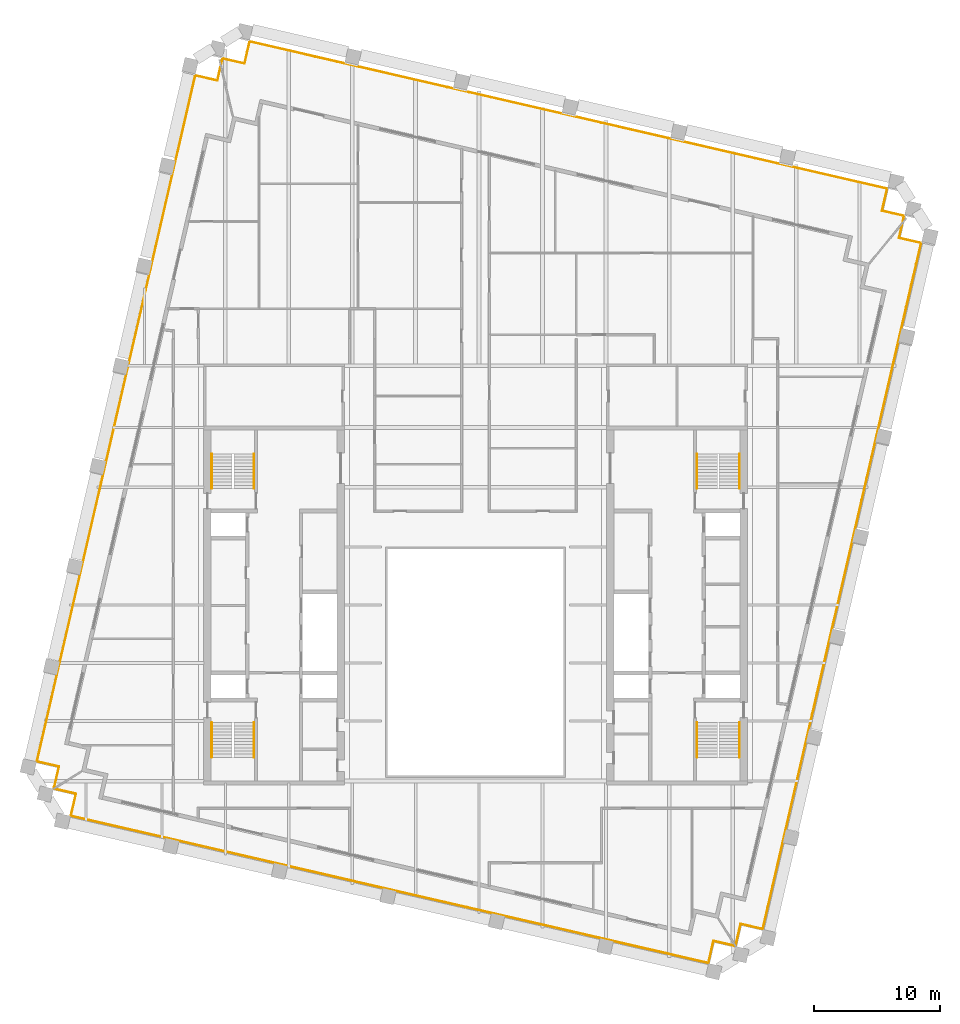
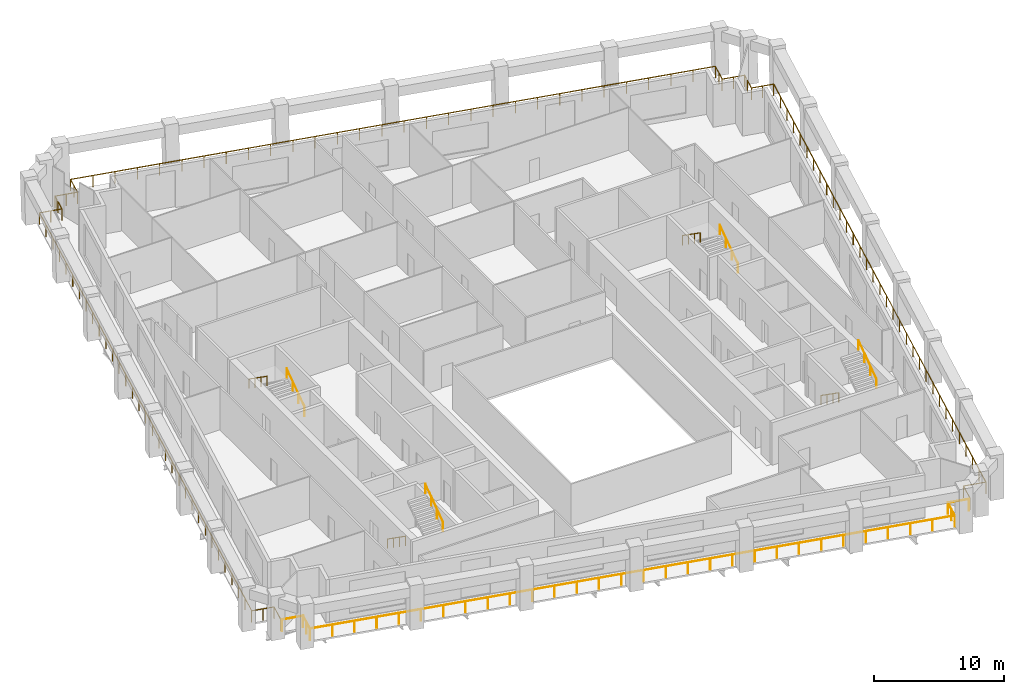
# One storey, part 10 of 10: 12 railings.
"""IFC4 building model written with IfcOpenShell, lengths in metres."""

import ifcopenshell
import ifcopenshell.guid

model = None  # the IFC model being written
_history = None  # IfcOwnerHistory: only IFC2X3 demands one
_inside = {}  # id of a spatial element -> (the spatial element, [elements in it])
_under = {}  # id of a project, library or spatial element -> (it, [spatial elements below it])
_declared = {}  # id of a project -> (the project, [libraries it declares])
_typed = {}  # id of a type object -> (the type object, [elements of that type])
_made_of = {}  # id of a material, layer set ... -> (it, [elements and type objects made of it])


def new_model(schema):
    """Start an empty IFC model of exactly this schema.

    Asked for "IFC4X3", IfcOpenShell would pick the latest addendum, in which some entities
    have other attributes; the version numbers below select the first issue.
    IFC2X3 requires an IfcOwnerHistory on every rooted entity: one is made here for all.
    """
    global model, _history
    if schema == "IFC4X3":
        model = ifcopenshell.file(schema_version=(4, 3, 0, 0))
    else:
        model = ifcopenshell.file(schema=schema)
    _inside.clear()
    _under.clear()
    _declared.clear()
    _typed.clear()
    _made_of.clear()
    _history = None
    if model.schema == "IFC2X3":
        org = make("IfcOrganization", Name="unknown")
        user = make(
            "IfcPersonAndOrganization",
            ThePerson=make("IfcPerson", FamilyName="unknown"),
            TheOrganization=org,
        )
        app = make(
            "IfcApplication",
            ApplicationDeveloper=org,
            Version="unknown",
            ApplicationFullName="unknown",
            ApplicationIdentifier="unknown",
        )
        _history = make(
            "IfcOwnerHistory",
            OwningUser=user,
            OwningApplication=app,
            ChangeAction="ADDED",
            CreationDate=0,
        )
    return model


def make(cls, **values):
    """One entity of the class cls with the attributes given. An attribute that is None is left unset."""
    return model.create_entity(
        cls, **{name: value for name, value in values.items() if value is not None}
    )


def rooted(cls, **values):
    """An entity with a GlobalId (a new one), such as an element, a storey or a relation."""
    return make(cls, GlobalId=ifcopenshell.guid.new(), OwnerHistory=_history, **values)


def si_unit(unit_type, name, prefix=None):
    """IfcSIUnit, for example si_unit("LENGTHUNIT", "METRE", prefix="MILLI")."""
    return make("IfcSIUnit", UnitType=unit_type, Prefix=prefix, Name=name)


def assignment(units):
    """IfcUnitAssignment: the units of a project."""
    return None if units is None else make("IfcUnitAssignment", Units=units)


def point(xyz):
    """IfcCartesianPoint."""
    return None if xyz is None else make("IfcCartesianPoint", Coordinates=xyz)


def direction(xyz):
    """IfcDirection."""
    return None if xyz is None else make("IfcDirection", DirectionRatios=xyz)


def frame(location, z_axis=None, x_axis=None):
    """IfcAxis2Placement3D, a coordinate frame: its origin and axes. An axis left out is left unset."""
    return make(
        "IfcAxis2Placement3D",
        Location=point(location),
        Axis=direction(z_axis),
        RefDirection=direction(x_axis),
    )


def frame_2d(location, x_axis=None):
    """IfcAxis2Placement2D, a coordinate frame in the plane: its origin and x axis."""
    return make(
        "IfcAxis2Placement2D", Location=point(location), RefDirection=direction(x_axis)
    )


def origin():
    """The frame at (0, 0, 0) with its axes left unset."""
    return frame((0.0, 0.0, 0.0))


def origin_2d():
    """The frame at (0, 0) in the plane with its x axis left unset."""
    return frame_2d((0.0, 0.0))


def place(relative_to, where):
    """IfcLocalPlacement: puts the frame where relative to a parent placement (None: the world)."""
    return make(
        "IfcLocalPlacement", PlacementRelTo=relative_to, RelativePlacement=where
    )


def context(
    kind, dimensions, precision=None, world=None, true_north=None, identifier=None
):
    """IfcGeometricRepresentationContext, for example the 3D "Model" context."""
    return make(
        "IfcGeometricRepresentationContext",
        ContextIdentifier=identifier,
        ContextType=kind,
        CoordinateSpaceDimension=dimensions,
        Precision=precision,
        WorldCoordinateSystem=world,
        TrueNorth=true_north,
    )


def subcontext(parent, identifier, kind, view, scale=None):
    """IfcGeometricRepresentationSubContext, for example "Body" below "Model"."""
    return make(
        "IfcGeometricRepresentationSubContext",
        ContextIdentifier=identifier,
        ContextType=kind,
        ParentContext=parent,
        TargetScale=scale,
        TargetView=view,
    )


def project(units=None, contexts=None):
    """IfcProject with its units and contexts."""
    return rooted(
        "IfcProject",
        Name="project",
        RepresentationContexts=contexts,
        UnitsInContext=assignment(units),
    )


def spatial(cls, under=None, at=None, **own):
    """A site, building, storey or space (cls), placed at a placement, below another one or the project."""
    s = rooted(cls, ObjectPlacement=at, **own)
    if under is not None:
        _under.setdefault(under.id(), (under, []))[1].append(s)
    return s


def profile(cls, at=None, kind="AREA", **sizes):
    """A parametric profile (cls). Its sizes go by their IFC names, for example OverallWidth=200.0."""
    return make(cls, ProfileType=kind, Position=at, **sizes)


def circle(**sizes):
    """IfcCircleProfileDef."""
    return profile("IfcCircleProfileDef", **sizes)


def extrude(swept, where, along, depth):
    """IfcExtrudedAreaSolid: the profile swept, set in the frame where, extruded along a direction by depth."""
    return make(
        "IfcExtrudedAreaSolid",
        SweptArea=swept,
        Position=where,
        ExtrudedDirection=direction(along),
        Depth=depth,
    )


def shape(context_of_items, identifier, shape_type, items):
    """IfcShapeRepresentation: the items that make up one representation, for example the "Body"."""
    return make(
        "IfcShapeRepresentation",
        ContextOfItems=context_of_items,
        RepresentationIdentifier=identifier,
        RepresentationType=shape_type,
        Items=items,
    )


def material(Name=None, Category=None):
    """IfcMaterial."""
    return make("IfcMaterial", Name=Name, Category=Category)


def made_of(thing, what):
    """Note that an element or type object is made of a material, layer set ...; save() writes the relation."""
    if what is not None:
        _made_of.setdefault(what.id(), (what, []))[1].append(thing)
    return thing


def type_object(cls, material=None, **own):
    """A type object (cls), such as IfcWallType, which elements share."""
    return made_of(rooted(cls, **own), material)


def element(
    cls,
    number,
    at=None,
    inside=None,
    cuts=None,
    type_object=None,
    material=None,
    context=None,
    identifier="Body",
    shape_type=None,
    held_by="IfcProductDefinitionShape",
    body=None,
    shapes=None,
    **own,
):
    """One element of the class cls, such as IfcWall. Its Tag is "e" and its number.

    at: its placement. inside: the storey or other place that contains it. cuts: it is an
    opening in that element (IfcRelVoidsElement). A single representation is given by context,
    identifier, shape_type and body (its items); several are given by shapes. held_by: the class
    of the entity that holds the representations. save() writes the other relations.
    """
    e = rooted(cls, Tag="e%d" % number, ObjectPlacement=at, **own)
    if body is not None:
        shapes = [shape(context, identifier, shape_type, body)]
    if shapes is not None:
        e.Representation = make(held_by, Representations=shapes)
    if inside is not None:
        _inside.setdefault(inside.id(), (inside, []))[1].append(e)
    if cuts is not None:
        rooted(
            "IfcRelVoidsElement", RelatingBuildingElement=cuts, RelatedOpeningElement=e
        )
    if type_object is not None:
        _typed.setdefault(type_object.id(), (type_object, []))[1].append(e)
    return made_of(e, material)


def aggregate(whole, parts):
    """IfcRelAggregates: a whole, such as a stair, and the parts it consists of."""
    return rooted("IfcRelAggregates", RelatingObject=whole, RelatedObjects=parts)


def save(model, path):
    """Write the relations noted so far, then the file.

    IfcRelAggregates (storeys below a building ...), IfcRelContainedInSpatialStructure (elements
    in a storey), IfcRelDefinesByType, IfcRelAssociatesMaterial and IfcRelDeclares: one each for
    every whole, place, type object, material and project.
    """
    for whole, parts in _under.values():
        aggregate(whole, parts)
    for where, things in _inside.values():
        rooted(
            "IfcRelContainedInSpatialStructure",
            RelatedElements=things,
            RelatingStructure=where,
        )
    for kind, things in _typed.values():
        rooted("IfcRelDefinesByType", RelatedObjects=things, RelatingType=kind)
    for what, things in _made_of.values():
        rooted("IfcRelAssociatesMaterial", RelatedObjects=things, RelatingMaterial=what)
    for by, libraries in _declared.values():
        rooted("IfcRelDeclares", RelatingContext=by, RelatedDefinitions=libraries)
    model.write(path)


model = new_model("IFC4")

# Units and contexts
model_context = context("Model", 3, precision=1e-05, world=origin(), true_north=direction((0.0, 1.0)))
body_context = subcontext(model_context, "Body", "Model", "MODEL_VIEW")
ifc_project = project(units=[si_unit("LENGTHUNIT", "METRE"), si_unit("AREAUNIT", "SQUARE_METRE"), si_unit("VOLUMEUNIT", "CUBIC_METRE"), si_unit("PLANEANGLEUNIT", "RADIAN"), si_unit("MASSUNIT", "GRAM", prefix="KILO")], contexts=[model_context])

# Site, building, storey
site_placement = place(None, origin())
site = spatial("IfcSite", under=ifc_project, at=site_placement, CompositionType="ELEMENT")
building_placement = place(site_placement, origin())
building = spatial("IfcBuilding", under=site, at=building_placement, Name="Ogive Exchange Tower", CompositionType="ELEMENT")
storey_placement = place(building_placement, frame((0.0, 0.0, 264.0)))
storey = spatial("IfcBuildingStorey", under=building, at=storey_placement, Name="L57", CompositionType="ELEMENT", Elevation=264.0)

# Railings
ifc_material_1 = material(Name="Stainless steel 316", Category="steel")
railing_type_1 = type_object("IfcRailingType", Name="Guard 1100 stainless steel and glass", PredefinedType="GUARDRAIL", material=ifc_material_1)
railing_1_placement = place(storey_placement, frame((20.560546875, -15.527099609375, -0.050048828125)))
element("IfcRailing", 1, at=railing_1_placement, inside=storey, type_object=railing_type_1, Name="Loggia guard 1", PredefinedType="GUARDRAIL", context=body_context, shape_type="SweptSolid", body=[
    extrude(circle(Radius=0.02392578125, at=origin_2d()), frame((0.0, 0.0, 1.076171875), z_axis=(-0.974396013545, 0.224838628327, 0.0), x_axis=(-0.224838628327, -0.974396013545, 0.0)), (0.0, 0.0, 1.0), 1.7080078125),
    extrude(circle(Radius=0.02392578125, at=origin_2d()), frame((-1.664306640625, 0.384033203125, 1.076171875), z_axis=(-0.224879318197, -0.974386623598, 0.0), x_axis=(0.974386623598, -0.224879318197, 0.0)), (0.0, 0.0, 1.0), 1.800048828125),
    extrude(circle(Radius=0.02392578125, at=origin_2d()), frame((-2.069091796875, -1.369873046875, 1.076171875), z_axis=(-0.974370126852, 0.224950785504, 0.0), x_axis=(-0.224950785504, -0.974370126852, 0.0)), (0.0, 0.0, 1.0), 51.960205078125),
    extrude(circle(Radius=0.02392578125, at=origin_2d()), frame((-52.697509765625, 10.318603515625, 1.076171875), z_axis=(0.225008086135, 0.974356896201, 0.0), x_axis=(-0.974356896201, 0.225008086135, 0.0)), (0.0, 0.0, 1.0), 1.800048828125),
    extrude(circle(Radius=0.02392578125, at=origin_2d()), frame((-52.29248046875, 12.072509765625, 1.076171875), z_axis=(-0.974364690374, 0.224974332206, 0.0), x_axis=(-0.224974332206, -0.974364690374, 0.0)), (0.0, 0.0, 1.0), 1.7080078125),
    extrude(circle(Radius=0.02099609375, at=origin_2d()), origin(), (0.0, 0.0, 1.0), 1.052001953125),
    extrude(circle(Radius=0.02099609375, at=origin_2d()), frame((-1.664306640625, 0.384033203125, 0.0)), (0.0, 0.0, 1.0), 1.052001953125),
    extrude(circle(Radius=0.02099609375, at=origin_2d()), frame((-1.86669921875, -0.492919921875, 0.0)), (0.0, 0.0, 1.0), 1.052001953125),
    extrude(circle(Radius=0.02099609375, at=origin_2d()), frame((-2.069091796875, -1.369873046875, 0.0)), (0.0, 0.0, 1.0), 1.052001953125),
    extrude(circle(Radius=0.02099609375, at=origin_2d()), frame((-3.81494140625, -0.966796875, 0.0)), (0.0, 0.0, 1.0), 1.052001953125),
    extrude(circle(Radius=0.02099609375, at=origin_2d()), frame((-5.560791015625, -0.563720703125, 0.0)), (0.0, 0.0, 1.0), 1.052001953125),
    extrude(circle(Radius=0.02099609375, at=origin_2d()), frame((-7.306396484375, -0.16064453125, 0.0)), (0.0, 0.0, 1.0), 1.052001953125),
    extrude(circle(Radius=0.02099609375, at=origin_2d()), frame((-9.05224609375, 0.242431640625, 0.0)), (0.0, 0.0, 1.0), 1.052001953125),
    extrude(circle(Radius=0.02099609375, at=origin_2d()), frame((-10.798095703125, 0.645263671875, 0.0)), (0.0, 0.0, 1.0), 1.052001953125),
    extrude(circle(Radius=0.02099609375, at=origin_2d()), frame((-12.5439453125, 1.04833984375, 0.0)), (0.0, 0.0, 1.0), 1.052001953125),
    extrude(circle(Radius=0.02099609375, at=origin_2d()), frame((-14.289794921875, 1.451416015625, 0.0)), (0.0, 0.0, 1.0), 1.052001953125),
    extrude(circle(Radius=0.02099609375, at=origin_2d()), frame((-16.03564453125, 1.8544921875, 0.0)), (0.0, 0.0, 1.0), 1.052001953125),
    extrude(circle(Radius=0.02099609375, at=origin_2d()), frame((-17.78125, 2.257568359375, 0.0)), (0.0, 0.0, 1.0), 1.052001953125),
    extrude(circle(Radius=0.02099609375, at=origin_2d()), frame((-19.527099609375, 2.66064453125, 0.0)), (0.0, 0.0, 1.0), 1.052001953125),
    extrude(circle(Radius=0.02099609375, at=origin_2d()), frame((-21.27294921875, 3.063720703125, 0.0)), (0.0, 0.0, 1.0), 1.052001953125),
    extrude(circle(Radius=0.02099609375, at=origin_2d()), frame((-23.018798828125, 3.466796875, 0.0)), (0.0, 0.0, 1.0), 1.052001953125),
    extrude(circle(Radius=0.02099609375, at=origin_2d()), frame((-24.7646484375, 3.869873046875, 0.0)), (0.0, 0.0, 1.0), 1.052001953125),
    extrude(circle(Radius=0.02099609375, at=origin_2d()), frame((-26.510498046875, 4.27294921875, 0.0)), (0.0, 0.0, 1.0), 1.052001953125),
    extrude(circle(Radius=0.02099609375, at=origin_2d()), frame((-28.256103515625, 4.67578125, 0.0)), (0.0, 0.0, 1.0), 1.052001953125),
    extrude(circle(Radius=0.02099609375, at=origin_2d()), frame((-30.001953125, 5.078857421875, 0.0)), (0.0, 0.0, 1.0), 1.052001953125),
    extrude(circle(Radius=0.02099609375, at=origin_2d()), frame((-31.747802734375, 5.48193359375, 0.0)), (0.0, 0.0, 1.0), 1.052001953125),
    extrude(circle(Radius=0.02099609375, at=origin_2d()), frame((-33.49365234375, 5.885009765625, 0.0)), (0.0, 0.0, 1.0), 1.052001953125),
    extrude(circle(Radius=0.02099609375, at=origin_2d()), frame((-35.239501953125, 6.2880859375, 0.0)), (0.0, 0.0, 1.0), 1.052001953125),
    extrude(circle(Radius=0.02099609375, at=origin_2d()), frame((-36.9853515625, 6.691162109375, 0.0)), (0.0, 0.0, 1.0), 1.052001953125),
    extrude(circle(Radius=0.02099609375, at=origin_2d()), frame((-38.73095703125, 7.09423828125, 0.0)), (0.0, 0.0, 1.0), 1.052001953125),
    extrude(circle(Radius=0.02099609375, at=origin_2d()), frame((-40.476806640625, 7.497314453125, 0.0)), (0.0, 0.0, 1.0), 1.052001953125),
    extrude(circle(Radius=0.02099609375, at=origin_2d()), frame((-42.22265625, 7.900390625, 0.0)), (0.0, 0.0, 1.0), 1.052001953125),
    extrude(circle(Radius=0.02099609375, at=origin_2d()), frame((-43.968505859375, 8.303466796875, 0.0)), (0.0, 0.0, 1.0), 1.052001953125),
    extrude(circle(Radius=0.02099609375, at=origin_2d()), frame((-45.71435546875, 8.706298828125, 0.0)), (0.0, 0.0, 1.0), 1.052001953125),
    extrude(circle(Radius=0.02099609375, at=origin_2d()), frame((-47.460205078125, 9.109375, 0.0)), (0.0, 0.0, 1.0), 1.052001953125),
    extrude(circle(Radius=0.02099609375, at=origin_2d()), frame((-49.205810546875, 9.512451171875, 0.0)), (0.0, 0.0, 1.0), 1.052001953125),
    extrude(circle(Radius=0.02099609375, at=origin_2d()), frame((-50.95166015625, 9.91552734375, 0.0)), (0.0, 0.0, 1.0), 1.052001953125),
    extrude(circle(Radius=0.02099609375, at=origin_2d()), frame((-52.697509765625, 10.318603515625, 0.0)), (0.0, 0.0, 1.0), 1.052001953125),
    extrude(circle(Radius=0.02099609375, at=origin_2d()), frame((-52.4951171875, 11.195556640625, 0.0)), (0.0, 0.0, 1.0), 1.052001953125),
    extrude(circle(Radius=0.02099609375, at=origin_2d()), frame((-52.29248046875, 12.072509765625, 0.0)), (0.0, 0.0, 1.0), 1.052001953125),
    extrude(circle(Radius=0.02099609375, at=origin_2d()), frame((-53.956787109375, 12.456787109375, 0.0)), (0.0, 0.0, 1.0), 1.052001953125),
])
railing_2_placement = place(storey_placement, frame((-33.465087890625, -2.960205078125, -0.050048828125)))
element("IfcRailing", 2, at=railing_2_placement, inside=storey, type_object=railing_type_1, Name="Loggia guard 2", PredefinedType="GUARDRAIL", context=body_context, shape_type="SweptSolid", body=[
    extrude(circle(Radius=0.02392578125, at=origin_2d()), frame((0.0, 0.0, 1.076171875), z_axis=(0.224974332206, 0.974364690374, 0.0), x_axis=(-0.974364690374, 0.224974332206, 0.0)), (0.0, 0.0, 1.0), 1.7080078125),
    extrude(circle(Radius=0.02392578125, at=origin_2d()), frame((0.38427734375, 1.664306640625, 1.076171875), z_axis=(-0.974356896201, 0.225008086135, 0.0), x_axis=(-0.225008086135, -0.974356896201, 0.0)), (0.0, 0.0, 1.0), 1.800048828125),
    extrude(circle(Radius=0.02392578125, at=origin_2d()), frame((-1.36962890625, 2.0693359375, 1.076171875), z_axis=(0.224948475678, 0.974370660114, 0.0), x_axis=(-0.974370660114, 0.224948475678, 0.0)), (0.0, 0.0, 1.0), 55.91455078125),
    extrude(circle(Radius=0.02392578125, at=origin_2d()), frame((11.208251953125, 56.55078125, 1.076171875), z_axis=(0.974386623598, -0.224879318197, 0.0), x_axis=(0.224879318197, 0.974386623598, 0.0)), (0.0, 0.0, 1.0), 1.800048828125),
    extrude(circle(Radius=0.02392578125, at=origin_2d()), frame((12.962158203125, 56.14599609375, 1.076171875), z_axis=(0.224942814233, 0.974371967128, 0.0), x_axis=(-0.974371967128, 0.224942814233, 0.0)), (0.0, 0.0, 1.0), 1.070068359375),
    extrude(circle(Radius=0.02099609375, at=origin_2d()), origin(), (0.0, 0.0, 1.0), 1.052001953125),
    extrude(circle(Radius=0.02099609375, at=origin_2d()), frame((0.38427734375, 1.664306640625, 0.0)), (0.0, 0.0, 1.0), 1.052001953125),
    extrude(circle(Radius=0.02099609375, at=origin_2d()), frame((-0.49267578125, 1.86669921875, 0.0)), (0.0, 0.0, 1.0), 1.052001953125),
    extrude(circle(Radius=0.02099609375, at=origin_2d()), frame((-1.36962890625, 2.0693359375, 0.0)), (0.0, 0.0, 1.0), 1.052001953125),
    extrude(circle(Radius=0.02099609375, at=origin_2d()), frame((-0.9765625, 3.77197265625, 0.0)), (0.0, 0.0, 1.0), 1.052001953125),
    extrude(circle(Radius=0.02099609375, at=origin_2d()), frame((-0.58349609375, 5.474365234375, 0.0)), (0.0, 0.0, 1.0), 1.052001953125),
    extrude(circle(Radius=0.02099609375, at=origin_2d()), frame((-0.1904296875, 7.177001953125, 0.0)), (0.0, 0.0, 1.0), 1.052001953125),
    extrude(circle(Radius=0.02099609375, at=origin_2d()), frame((0.20263671875, 8.87939453125, 0.0)), (0.0, 0.0, 1.0), 1.052001953125),
    extrude(circle(Radius=0.02099609375, at=origin_2d()), frame((0.595703125, 10.58203125, 0.0)), (0.0, 0.0, 1.0), 1.052001953125),
    extrude(circle(Radius=0.02099609375, at=origin_2d()), frame((0.98876953125, 12.28466796875, 0.0)), (0.0, 0.0, 1.0), 1.052001953125),
    extrude(circle(Radius=0.02099609375, at=origin_2d()), frame((1.3818359375, 13.987060546875, 0.0)), (0.0, 0.0, 1.0), 1.052001953125),
    extrude(circle(Radius=0.02099609375, at=origin_2d()), frame((1.77490234375, 15.689697265625, 0.0)), (0.0, 0.0, 1.0), 1.052001953125),
    extrude(circle(Radius=0.02099609375, at=origin_2d()), frame((2.16796875, 17.392333984375, 0.0)), (0.0, 0.0, 1.0), 1.052001953125),
    extrude(circle(Radius=0.02099609375, at=origin_2d()), frame((2.56103515625, 19.0947265625, 0.0)), (0.0, 0.0, 1.0), 1.052001953125),
    extrude(circle(Radius=0.02099609375, at=origin_2d()), frame((2.9541015625, 20.79736328125, 0.0)), (0.0, 0.0, 1.0), 1.052001953125),
    extrude(circle(Radius=0.02099609375, at=origin_2d()), frame((3.34716796875, 22.5, 0.0)), (0.0, 0.0, 1.0), 1.052001953125),
    extrude(circle(Radius=0.02099609375, at=origin_2d()), frame((3.740234375, 24.202392578125, 0.0)), (0.0, 0.0, 1.0), 1.052001953125),
    extrude(circle(Radius=0.02099609375, at=origin_2d()), frame((4.13330078125, 25.905029296875, 0.0)), (0.0, 0.0, 1.0), 1.052001953125),
    extrude(circle(Radius=0.02099609375, at=origin_2d()), frame((4.5263671875, 27.607421875, 0.0)), (0.0, 0.0, 1.0), 1.052001953125),
    extrude(circle(Radius=0.02099609375, at=origin_2d()), frame((4.91943359375, 29.31005859375, 0.0)), (0.0, 0.0, 1.0), 1.052001953125),
    extrude(circle(Radius=0.02099609375, at=origin_2d()), frame((5.312255859375, 31.0126953125, 0.0)), (0.0, 0.0, 1.0), 1.052001953125),
    extrude(circle(Radius=0.02099609375, at=origin_2d()), frame((5.705322265625, 32.715087890625, 0.0)), (0.0, 0.0, 1.0), 1.052001953125),
    extrude(circle(Radius=0.02099609375, at=origin_2d()), frame((6.098388671875, 34.417724609375, 0.0)), (0.0, 0.0, 1.0), 1.052001953125),
    extrude(circle(Radius=0.02099609375, at=origin_2d()), frame((6.491455078125, 36.1201171875, 0.0)), (0.0, 0.0, 1.0), 1.052001953125),
    extrude(circle(Radius=0.02099609375, at=origin_2d()), frame((6.884521484375, 37.82275390625, 0.0)), (0.0, 0.0, 1.0), 1.052001953125),
    extrude(circle(Radius=0.02099609375, at=origin_2d()), frame((7.277587890625, 39.525390625, 0.0)), (0.0, 0.0, 1.0), 1.052001953125),
    extrude(circle(Radius=0.02099609375, at=origin_2d()), frame((7.670654296875, 41.227783203125, 0.0)), (0.0, 0.0, 1.0), 1.052001953125),
    extrude(circle(Radius=0.02099609375, at=origin_2d()), frame((8.063720703125, 42.930419921875, 0.0)), (0.0, 0.0, 1.0), 1.052001953125),
    extrude(circle(Radius=0.02099609375, at=origin_2d()), frame((8.456787109375, 44.633056640625, 0.0)), (0.0, 0.0, 1.0), 1.052001953125),
    extrude(circle(Radius=0.02099609375, at=origin_2d()), frame((8.849853515625, 46.33544921875, 0.0)), (0.0, 0.0, 1.0), 1.052001953125),
    extrude(circle(Radius=0.02099609375, at=origin_2d()), frame((9.242919921875, 48.0380859375, 0.0)), (0.0, 0.0, 1.0), 1.052001953125),
    extrude(circle(Radius=0.02099609375, at=origin_2d()), frame((9.635986328125, 49.74072265625, 0.0)), (0.0, 0.0, 1.0), 1.052001953125),
    extrude(circle(Radius=0.02099609375, at=origin_2d()), frame((10.029052734375, 51.443115234375, 0.0)), (0.0, 0.0, 1.0), 1.052001953125),
    extrude(circle(Radius=0.02099609375, at=origin_2d()), frame((10.422119140625, 53.145751953125, 0.0)), (0.0, 0.0, 1.0), 1.052001953125),
    extrude(circle(Radius=0.02099609375, at=origin_2d()), frame((10.815185546875, 54.84814453125, 0.0)), (0.0, 0.0, 1.0), 1.052001953125),
    extrude(circle(Radius=0.02099609375, at=origin_2d()), frame((11.208251953125, 56.55078125, 0.0)), (0.0, 0.0, 1.0), 1.052001953125),
    extrude(circle(Radius=0.02099609375, at=origin_2d()), frame((12.085205078125, 56.348388671875, 0.0)), (0.0, 0.0, 1.0), 1.052001953125),
    extrude(circle(Radius=0.02099609375, at=origin_2d()), frame((12.962158203125, 56.14599609375, 0.0)), (0.0, 0.0, 1.0), 1.052001953125),
    extrude(circle(Radius=0.02099609375, at=origin_2d()), frame((13.202880859375, 57.188720703125, 0.0)), (0.0, 0.0, 1.0), 1.052001953125),
])
railing_3_placement = place(storey_placement, frame((-20.196044921875, 54.514404296875, -0.050048828125)))
element("IfcRailing", 3, at=railing_3_placement, inside=storey, type_object=railing_type_1, Name="Loggia guard 3", PredefinedType="GUARDRAIL", context=body_context, shape_type="SweptSolid", body=[
    extrude(circle(Radius=0.02392578125, at=origin_2d()), frame((0.0, 0.0, 1.076171875), z_axis=(0.224859506699, 0.974391195695, 0.0), x_axis=(-0.974391195695, 0.224859506699, 0.0)), (0.0, 0.0, 1.0), 0.4365234375),
    extrude(circle(Radius=0.02392578125, at=origin_2d()), frame((0.09814453125, 0.42529296875, 1.076171875), z_axis=(0.974356896201, -0.225008086135, 0.0), x_axis=(0.225008086135, 0.974356896201, 0.0)), (0.0, 0.0, 1.0), 1.800048828125),
    extrude(circle(Radius=0.02392578125, at=origin_2d()), frame((1.85205078125, 0.020263671875, 1.076171875), z_axis=(0.224879318197, 0.974386623598, 0.0), x_axis=(-0.974386623598, 0.224879318197, 0.0)), (0.0, 0.0, 1.0), 1.800048828125),
    extrude(circle(Radius=0.02392578125, at=origin_2d()), frame((2.2568359375, 1.774169921875, 1.076171875), z_axis=(0.974370126852, -0.224950785504, 0.0), x_axis=(0.224950785504, 0.974370126852, 0.0)), (0.0, 0.0, 1.0), 51.960205078125),
    extrude(circle(Radius=0.02392578125, at=origin_2d()), frame((52.88525390625, -9.914306640625, 1.076171875), z_axis=(-0.225008086135, -0.974356896201, 0.0), x_axis=(0.974356896201, -0.225008086135, 0.0)), (0.0, 0.0, 1.0), 1.800048828125),
    extrude(circle(Radius=0.02392578125, at=origin_2d()), frame((52.480224609375, -11.668212890625, 1.076171875), z_axis=(0.974386623598, -0.224879318197, 0.0), x_axis=(0.224879318197, 0.974386623598, 0.0)), (0.0, 0.0, 1.0), 1.800048828125),
    extrude(circle(Radius=0.02392578125, at=origin_2d()), frame((54.234130859375, -12.072998046875, 1.076171875), z_axis=(-0.224859506699, -0.974391195695, 0.0), x_axis=(0.974391195695, -0.224859506699, 0.0)), (0.0, 0.0, 1.0), 0.4365234375),
    extrude(circle(Radius=0.02099609375, at=origin_2d()), origin(), (0.0, 0.0, 1.0), 1.052001953125),
    extrude(circle(Radius=0.02099609375, at=origin_2d()), frame((0.09814453125, 0.42529296875, 0.0)), (0.0, 0.0, 1.0), 1.052001953125),
    extrude(circle(Radius=0.02099609375, at=origin_2d()), frame((0.97509765625, 0.22265625, 0.0)), (0.0, 0.0, 1.0), 1.052001953125),
    extrude(circle(Radius=0.02099609375, at=origin_2d()), frame((1.85205078125, 0.020263671875, 0.0)), (0.0, 0.0, 1.0), 1.052001953125),
    extrude(circle(Radius=0.02099609375, at=origin_2d()), frame((2.054443359375, 0.897216796875, 0.0)), (0.0, 0.0, 1.0), 1.052001953125),
    extrude(circle(Radius=0.02099609375, at=origin_2d()), frame((2.2568359375, 1.774169921875, 0.0)), (0.0, 0.0, 1.0), 1.052001953125),
    extrude(circle(Radius=0.02099609375, at=origin_2d()), frame((4.002685546875, 1.37109375, 0.0)), (0.0, 0.0, 1.0), 1.052001953125),
    extrude(circle(Radius=0.02099609375, at=origin_2d()), frame((5.74853515625, 0.968017578125, 0.0)), (0.0, 0.0, 1.0), 1.052001953125),
    extrude(circle(Radius=0.02099609375, at=origin_2d()), frame((7.494140625, 0.56494140625, 0.0)), (0.0, 0.0, 1.0), 1.052001953125),
    extrude(circle(Radius=0.02099609375, at=origin_2d()), frame((9.239990234375, 0.161865234375, 0.0)), (0.0, 0.0, 1.0), 1.052001953125),
    extrude(circle(Radius=0.02099609375, at=origin_2d()), frame((10.98583984375, -0.240966796875, 0.0)), (0.0, 0.0, 1.0), 1.052001953125),
    extrude(circle(Radius=0.02099609375, at=origin_2d()), frame((12.731689453125, -0.64404296875, 0.0)), (0.0, 0.0, 1.0), 1.052001953125),
    extrude(circle(Radius=0.02099609375, at=origin_2d()), frame((14.4775390625, -1.047119140625, 0.0)), (0.0, 0.0, 1.0), 1.052001953125),
    extrude(circle(Radius=0.02099609375, at=origin_2d()), frame((16.223388671875, -1.4501953125, 0.0)), (0.0, 0.0, 1.0), 1.052001953125),
    extrude(circle(Radius=0.02099609375, at=origin_2d()), frame((17.968994140625, -1.853271484375, 0.0)), (0.0, 0.0, 1.0), 1.052001953125),
    extrude(circle(Radius=0.02099609375, at=origin_2d()), frame((19.71484375, -2.25634765625, 0.0)), (0.0, 0.0, 1.0), 1.052001953125),
    extrude(circle(Radius=0.02099609375, at=origin_2d()), frame((21.460693359375, -2.659423828125, 0.0)), (0.0, 0.0, 1.0), 1.052001953125),
    extrude(circle(Radius=0.02099609375, at=origin_2d()), frame((23.20654296875, -3.0625, 0.0)), (0.0, 0.0, 1.0), 1.052001953125),
    extrude(circle(Radius=0.02099609375, at=origin_2d()), frame((24.952392578125, -3.465576171875, 0.0)), (0.0, 0.0, 1.0), 1.052001953125),
    extrude(circle(Radius=0.02099609375, at=origin_2d()), frame((26.6982421875, -3.86865234375, 0.0)), (0.0, 0.0, 1.0), 1.052001953125),
    extrude(circle(Radius=0.02099609375, at=origin_2d()), frame((28.44384765625, -4.271484375, 0.0)), (0.0, 0.0, 1.0), 1.052001953125),
    extrude(circle(Radius=0.02099609375, at=origin_2d()), frame((30.189697265625, -4.674560546875, 0.0)), (0.0, 0.0, 1.0), 1.052001953125),
    extrude(circle(Radius=0.02099609375, at=origin_2d()), frame((31.935546875, -5.07763671875, 0.0)), (0.0, 0.0, 1.0), 1.052001953125),
    extrude(circle(Radius=0.02099609375, at=origin_2d()), frame((33.681396484375, -5.480712890625, 0.0)), (0.0, 0.0, 1.0), 1.052001953125),
    extrude(circle(Radius=0.02099609375, at=origin_2d()), frame((35.42724609375, -5.8837890625, 0.0)), (0.0, 0.0, 1.0), 1.052001953125),
    extrude(circle(Radius=0.02099609375, at=origin_2d()), frame((37.173095703125, -6.286865234375, 0.0)), (0.0, 0.0, 1.0), 1.052001953125),
    extrude(circle(Radius=0.02099609375, at=origin_2d()), frame((38.918701171875, -6.68994140625, 0.0)), (0.0, 0.0, 1.0), 1.052001953125),
    extrude(circle(Radius=0.02099609375, at=origin_2d()), frame((40.66455078125, -7.093017578125, 0.0)), (0.0, 0.0, 1.0), 1.052001953125),
    extrude(circle(Radius=0.02099609375, at=origin_2d()), frame((42.410400390625, -7.49609375, 0.0)), (0.0, 0.0, 1.0), 1.052001953125),
    extrude(circle(Radius=0.02099609375, at=origin_2d()), frame((44.15625, -7.899169921875, 0.0)), (0.0, 0.0, 1.0), 1.052001953125),
    extrude(circle(Radius=0.02099609375, at=origin_2d()), frame((45.902099609375, -8.302001953125, 0.0)), (0.0, 0.0, 1.0), 1.052001953125),
    extrude(circle(Radius=0.02099609375, at=origin_2d()), frame((47.64794921875, -8.705078125, 0.0)), (0.0, 0.0, 1.0), 1.052001953125),
    extrude(circle(Radius=0.02099609375, at=origin_2d()), frame((49.3935546875, -9.108154296875, 0.0)), (0.0, 0.0, 1.0), 1.052001953125),
    extrude(circle(Radius=0.02099609375, at=origin_2d()), frame((51.139404296875, -9.51123046875, 0.0)), (0.0, 0.0, 1.0), 1.052001953125),
    extrude(circle(Radius=0.02099609375, at=origin_2d()), frame((52.88525390625, -9.914306640625, 0.0)), (0.0, 0.0, 1.0), 1.052001953125),
    extrude(circle(Radius=0.02099609375, at=origin_2d()), frame((52.6826171875, -10.791259765625, 0.0)), (0.0, 0.0, 1.0), 1.052001953125),
    extrude(circle(Radius=0.02099609375, at=origin_2d()), frame((52.480224609375, -11.668212890625, 0.0)), (0.0, 0.0, 1.0), 1.052001953125),
    extrude(circle(Radius=0.02099609375, at=origin_2d()), frame((53.357177734375, -11.87060546875, 0.0)), (0.0, 0.0, 1.0), 1.052001953125),
    extrude(circle(Radius=0.02099609375, at=origin_2d()), frame((54.234130859375, -12.072998046875, 0.0)), (0.0, 0.0, 1.0), 1.052001953125),
    extrude(circle(Radius=0.02099609375, at=origin_2d()), frame((54.135986328125, -12.498291015625, 0.0)), (0.0, 0.0, 1.0), 1.052001953125),
])
railing_4_placement = place(storey_placement, frame((33.873779296875, 41.73046875, -0.050048828125)))
element("IfcRailing", 4, at=railing_4_placement, inside=storey, type_object=railing_type_1, Name="Loggia guard 4", PredefinedType="GUARDRAIL", context=body_context, shape_type="SweptSolid", body=[
    extrude(circle(Radius=0.02392578125, at=origin_2d()), frame((0.0, 0.0, 1.076171875), z_axis=(-0.224892822504, -0.974383506832, 0.0), x_axis=(0.974383506832, -0.224892822504, 0.0)), (0.0, 0.0, 1.0), 1.0703125),
    extrude(circle(Radius=0.02392578125, at=origin_2d()), frame((-0.24072265625, -1.04296875, 1.076171875), z_axis=(0.974356896201, -0.225008086135, 0.0), x_axis=(0.225008086135, 0.974356896201, 0.0)), (0.0, 0.0, 1.0), 1.800048828125),
    extrude(circle(Radius=0.02392578125, at=origin_2d()), frame((1.51318359375, -1.447998046875, 1.076171875), z_axis=(-0.224952621049, -0.974369703082, 0.0), x_axis=(0.974369703082, -0.224952621049, 0.0)), (0.0, 0.0, 1.0), 55.91455078125),
    extrude(circle(Radius=0.02392578125, at=origin_2d()), frame((-11.06494140625, -55.929443359375, 1.076171875), z_axis=(-0.974379763188, 0.224909041816, 0.0), x_axis=(-0.224909041816, -0.974379763188, 0.0)), (0.0, 0.0, 1.0), 1.7998046875),
    extrude(circle(Radius=0.02392578125, at=origin_2d()), frame((-12.818603515625, -55.524658203125, 1.076171875), z_axis=(-0.224974332206, -0.974364690374, 0.0), x_axis=(0.974364690374, -0.224974332206, 0.0)), (0.0, 0.0, 1.0), 1.7080078125),
    extrude(circle(Radius=0.02099609375, at=origin_2d()), origin(), (0.0, 0.0, 1.0), 1.052001953125),
    extrude(circle(Radius=0.02099609375, at=origin_2d()), frame((-0.24072265625, -1.04296875, 0.0)), (0.0, 0.0, 1.0), 1.052001953125),
    extrude(circle(Radius=0.02099609375, at=origin_2d()), frame((0.63623046875, -1.24560546875, 0.0)), (0.0, 0.0, 1.0), 1.052001953125),
    extrude(circle(Radius=0.02099609375, at=origin_2d()), frame((1.51318359375, -1.447998046875, 0.0)), (0.0, 0.0, 1.0), 1.052001953125),
    extrude(circle(Radius=0.02099609375, at=origin_2d()), frame((1.1201171875, -3.150634765625, 0.0)), (0.0, 0.0, 1.0), 1.052001953125),
    extrude(circle(Radius=0.02099609375, at=origin_2d()), frame((0.72705078125, -4.85302734375, 0.0)), (0.0, 0.0, 1.0), 1.052001953125),
    extrude(circle(Radius=0.02099609375, at=origin_2d()), frame((0.333984375, -6.5556640625, 0.0)), (0.0, 0.0, 1.0), 1.052001953125),
    extrude(circle(Radius=0.02099609375, at=origin_2d()), frame((-0.05908203125, -8.25830078125, 0.0)), (0.0, 0.0, 1.0), 1.052001953125),
    extrude(circle(Radius=0.02099609375, at=origin_2d()), frame((-0.4521484375, -9.960693359375, 0.0)), (0.0, 0.0, 1.0), 1.052001953125),
    extrude(circle(Radius=0.02099609375, at=origin_2d()), frame((-0.84521484375, -11.663330078125, 0.0)), (0.0, 0.0, 1.0), 1.052001953125),
    extrude(circle(Radius=0.02099609375, at=origin_2d()), frame((-1.23828125, -13.36572265625, 0.0)), (0.0, 0.0, 1.0), 1.052001953125),
    extrude(circle(Radius=0.02099609375, at=origin_2d()), frame((-1.63134765625, -15.068359375, 0.0)), (0.0, 0.0, 1.0), 1.052001953125),
    extrude(circle(Radius=0.02099609375, at=origin_2d()), frame((-2.0244140625, -16.77099609375, 0.0)), (0.0, 0.0, 1.0), 1.052001953125),
    extrude(circle(Radius=0.02099609375, at=origin_2d()), frame((-2.41748046875, -18.473388671875, 0.0)), (0.0, 0.0, 1.0), 1.052001953125),
    extrude(circle(Radius=0.02099609375, at=origin_2d()), frame((-2.810546875, -20.176025390625, 0.0)), (0.0, 0.0, 1.0), 1.052001953125),
    extrude(circle(Radius=0.02099609375, at=origin_2d()), frame((-3.20361328125, -21.87841796875, 0.0)), (0.0, 0.0, 1.0), 1.052001953125),
    extrude(circle(Radius=0.02099609375, at=origin_2d()), frame((-3.5966796875, -23.5810546875, 0.0)), (0.0, 0.0, 1.0), 1.052001953125),
    extrude(circle(Radius=0.02099609375, at=origin_2d()), frame((-3.98974609375, -25.28369140625, 0.0)), (0.0, 0.0, 1.0), 1.052001953125),
    extrude(circle(Radius=0.02099609375, at=origin_2d()), frame((-4.3828125, -26.986083984375, 0.0)), (0.0, 0.0, 1.0), 1.052001953125),
    extrude(circle(Radius=0.02099609375, at=origin_2d()), frame((-4.77587890625, -28.688720703125, 0.0)), (0.0, 0.0, 1.0), 1.052001953125),
    extrude(circle(Radius=0.02099609375, at=origin_2d()), frame((-5.1689453125, -30.391357421875, 0.0)), (0.0, 0.0, 1.0), 1.052001953125),
    extrude(circle(Radius=0.02099609375, at=origin_2d()), frame((-5.56201171875, -32.09375, 0.0)), (0.0, 0.0, 1.0), 1.052001953125),
    extrude(circle(Radius=0.02099609375, at=origin_2d()), frame((-5.955078125, -33.79638671875, 0.0)), (0.0, 0.0, 1.0), 1.052001953125),
    extrude(circle(Radius=0.02099609375, at=origin_2d()), frame((-6.34814453125, -35.4990234375, 0.0)), (0.0, 0.0, 1.0), 1.052001953125),
    extrude(circle(Radius=0.02099609375, at=origin_2d()), frame((-6.7412109375, -37.201416015625, 0.0)), (0.0, 0.0, 1.0), 1.052001953125),
    extrude(circle(Radius=0.02099609375, at=origin_2d()), frame((-7.13427734375, -38.904052734375, 0.0)), (0.0, 0.0, 1.0), 1.052001953125),
    extrude(circle(Radius=0.02099609375, at=origin_2d()), frame((-7.52734375, -40.6064453125, 0.0)), (0.0, 0.0, 1.0), 1.052001953125),
    extrude(circle(Radius=0.02099609375, at=origin_2d()), frame((-7.92041015625, -42.30908203125, 0.0)), (0.0, 0.0, 1.0), 1.052001953125),
    extrude(circle(Radius=0.02099609375, at=origin_2d()), frame((-8.3134765625, -44.01171875, 0.0)), (0.0, 0.0, 1.0), 1.052001953125),
    extrude(circle(Radius=0.02099609375, at=origin_2d()), frame((-8.70654296875, -45.714111328125, 0.0)), (0.0, 0.0, 1.0), 1.052001953125),
    extrude(circle(Radius=0.02099609375, at=origin_2d()), frame((-9.099609375, -47.416748046875, 0.0)), (0.0, 0.0, 1.0), 1.052001953125),
    extrude(circle(Radius=0.02099609375, at=origin_2d()), frame((-9.49267578125, -49.119140625, 0.0)), (0.0, 0.0, 1.0), 1.052001953125),
    extrude(circle(Radius=0.02099609375, at=origin_2d()), frame((-9.8857421875, -50.82177734375, 0.0)), (0.0, 0.0, 1.0), 1.052001953125),
    extrude(circle(Radius=0.02099609375, at=origin_2d()), frame((-10.27880859375, -52.5244140625, 0.0)), (0.0, 0.0, 1.0), 1.052001953125),
    extrude(circle(Radius=0.02099609375, at=origin_2d()), frame((-10.671875, -54.226806640625, 0.0)), (0.0, 0.0, 1.0), 1.052001953125),
    extrude(circle(Radius=0.02099609375, at=origin_2d()), frame((-11.06494140625, -55.929443359375, 0.0)), (0.0, 0.0, 1.0), 1.052001953125),
    extrude(circle(Radius=0.02099609375, at=origin_2d()), frame((-12.818603515625, -55.524658203125, 0.0)), (0.0, 0.0, 1.0), 1.052001953125),
    extrude(circle(Radius=0.02099609375, at=origin_2d()), frame((-13.202880859375, -57.18896484375, 0.0)), (0.0, 0.0, 1.0), 1.052001953125),
])
ifc_material_2 = material(Name="Stainless steel", Category="steel")
railing_type_2 = type_object("IfcRailingType", Name="Stair handrail 900", PredefinedType="HANDRAIL", material=ifc_material_2)
railing_5_placement = place(storey_placement, frame((-20.949951171875, 2.199951171875, 0.175048828125)))
element("IfcRailing", 5, at=railing_5_placement, inside=storey, type_object=railing_type_2, Name="L57 ST1 stair handrail 1", PredefinedType="HANDRAIL", context=body_context, shape_type="SweptSolid", body=[
    extrude(circle(Radius=0.02392578125, at=origin_2d()), frame((0.0, 0.0, 0.8759765625), z_axis=(0.0, -0.819225086817, 0.573472106672), x_axis=(1.0, 0.0, 0.0)), (0.0, 0.0, 1.0), 3.35693359375),
    extrude(circle(Radius=0.02099609375, at=origin_2d()), origin(), (0.0, 0.0, 1.0), 0.851806640625),
    extrude(circle(Radius=0.02099609375, at=origin_2d()), frame((0.0, -0.916748046875, 0.6416015625)), (0.0, 0.0, 1.0), 0.851806640625),
    extrude(circle(Radius=0.02099609375, at=origin_2d()), frame((0.0, -1.833251953125, 1.283447265625)), (0.0, 0.0, 1.0), 0.851806640625),
    extrude(circle(Radius=0.02099609375, at=origin_2d()), frame((0.0, -2.75, 1.925048828125)), (0.0, 0.0, 1.0), 0.851806640625),
])
for number, where, name in (
    (6, (-17.60009765625, -0.550048828125, 2.27490234375), "L57 ST1 stair handrail 2"),
    (7, (-17.60009765625, 20.800048828125, 0.175048828125), "L57 ST2 stair handrail 1"),
):
    element("IfcRailing", number, at=place(storey_placement, frame(where)), inside=storey, type_object=railing_type_2, Name=name, PredefinedType="HANDRAIL", context=body_context, shape_type="SweptSolid", body=[
        extrude(circle(Radius=0.02392578125, at=origin_2d()), frame((0.0, 0.0, 0.8759765625), z_axis=(0.0, 0.819225086817, 0.573472106672), x_axis=(-1.0, 0.0, 0.0)), (0.0, 0.0, 1.0), 3.35693359375),
        extrude(circle(Radius=0.02099609375, at=origin_2d()), origin(), (0.0, 0.0, 1.0), 0.851806640625),
        extrude(circle(Radius=0.02099609375, at=origin_2d()), frame((0.0, 0.916748046875, 0.6416015625)), (0.0, 0.0, 1.0), 0.851806640625),
        extrude(circle(Radius=0.02099609375, at=origin_2d()), frame((0.0, 1.833251953125, 1.283447265625)), (0.0, 0.0, 1.0), 0.851806640625),
        extrude(circle(Radius=0.02099609375, at=origin_2d()), frame((0.0, 2.75, 1.925048828125)), (0.0, 0.0, 1.0), 0.851806640625),
    ])
for number, where, name in (
    (8, (-20.949951171875, 23.550048828125, 2.27490234375), "L57 ST2 stair handrail 2"),
    (9, (17.60009765625, 2.199951171875, 0.175048828125), "L57 ST3 stair handrail 1"),
):
    element("IfcRailing", number, at=place(storey_placement, frame(where)), inside=storey, type_object=railing_type_2, Name=name, PredefinedType="HANDRAIL", context=body_context, shape_type="SweptSolid", body=[
        extrude(circle(Radius=0.02392578125, at=origin_2d()), frame((0.0, 0.0, 0.8759765625), z_axis=(0.0, -0.819225086817, 0.573472106672), x_axis=(1.0, 0.0, 0.0)), (0.0, 0.0, 1.0), 3.35693359375),
        extrude(circle(Radius=0.02099609375, at=origin_2d()), origin(), (0.0, 0.0, 1.0), 0.851806640625),
        extrude(circle(Radius=0.02099609375, at=origin_2d()), frame((0.0, -0.916748046875, 0.6416015625)), (0.0, 0.0, 1.0), 0.851806640625),
        extrude(circle(Radius=0.02099609375, at=origin_2d()), frame((0.0, -1.833251953125, 1.283447265625)), (0.0, 0.0, 1.0), 0.851806640625),
        extrude(circle(Radius=0.02099609375, at=origin_2d()), frame((0.0, -2.75, 1.925048828125)), (0.0, 0.0, 1.0), 0.851806640625),
    ])
for number, where, name in (
    (10, (20.949951171875, -0.550048828125, 2.27490234375), "L57 ST3 stair handrail 2"),
    (11, (20.949951171875, 20.800048828125, 0.175048828125), "L57 ST4 stair handrail 1"),
):
    element("IfcRailing", number, at=place(storey_placement, frame(where)), inside=storey, type_object=railing_type_2, Name=name, PredefinedType="HANDRAIL", context=body_context, shape_type="SweptSolid", body=[
        extrude(circle(Radius=0.02392578125, at=origin_2d()), frame((0.0, 0.0, 0.8759765625), z_axis=(0.0, 0.819225086817, 0.573472106672), x_axis=(-1.0, 0.0, 0.0)), (0.0, 0.0, 1.0), 3.35693359375),
        extrude(circle(Radius=0.02099609375, at=origin_2d()), origin(), (0.0, 0.0, 1.0), 0.851806640625),
        extrude(circle(Radius=0.02099609375, at=origin_2d()), frame((0.0, 0.916748046875, 0.6416015625)), (0.0, 0.0, 1.0), 0.851806640625),
        extrude(circle(Radius=0.02099609375, at=origin_2d()), frame((0.0, 1.833251953125, 1.283447265625)), (0.0, 0.0, 1.0), 0.851806640625),
        extrude(circle(Radius=0.02099609375, at=origin_2d()), frame((0.0, 2.75, 1.925048828125)), (0.0, 0.0, 1.0), 0.851806640625),
    ])
railing_6_placement = place(storey_placement, frame((17.60009765625, 23.550048828125, 2.27490234375)))
element("IfcRailing", 12, at=railing_6_placement, inside=storey, type_object=railing_type_2, Name="L57 ST4 stair handrail 2", PredefinedType="HANDRAIL", context=body_context, shape_type="SweptSolid", body=[
    extrude(circle(Radius=0.02392578125, at=origin_2d()), frame((0.0, 0.0, 0.8759765625), z_axis=(0.0, -0.819225086817, 0.573472106672), x_axis=(1.0, 0.0, 0.0)), (0.0, 0.0, 1.0), 3.35693359375),
    extrude(circle(Radius=0.02099609375, at=origin_2d()), origin(), (0.0, 0.0, 1.0), 0.851806640625),
    extrude(circle(Radius=0.02099609375, at=origin_2d()), frame((0.0, -0.916748046875, 0.6416015625)), (0.0, 0.0, 1.0), 0.851806640625),
    extrude(circle(Radius=0.02099609375, at=origin_2d()), frame((0.0, -1.833251953125, 1.283447265625)), (0.0, 0.0, 1.0), 0.851806640625),
    extrude(circle(Radius=0.02099609375, at=origin_2d()), frame((0.0, -2.75, 1.925048828125)), (0.0, 0.0, 1.0), 0.851806640625),
])

save(model, "model.ifc")
